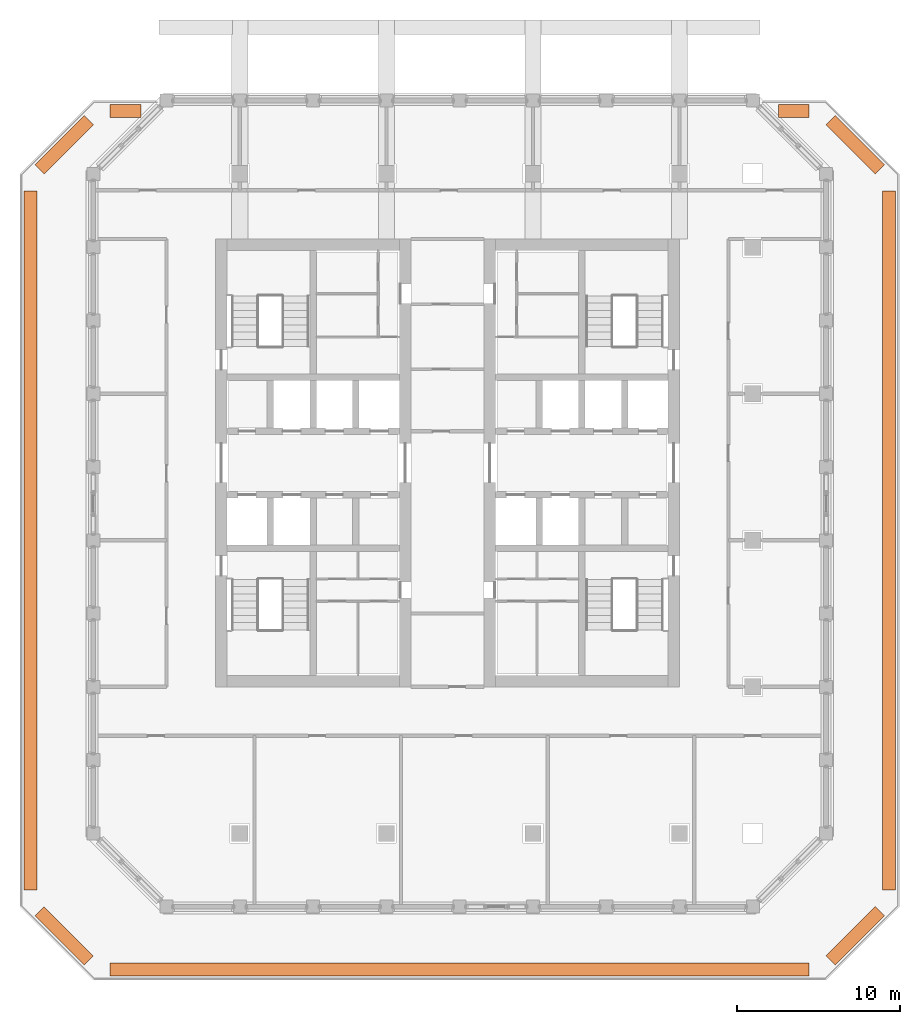
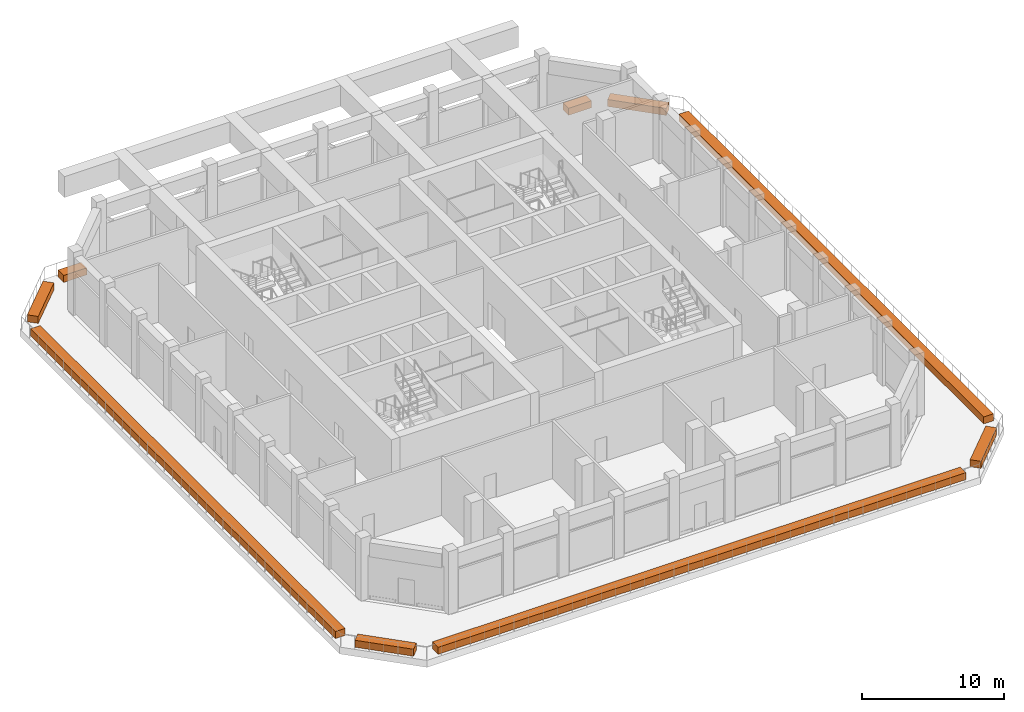
# One storey, part 19 of 19: 9 proxies.
"""IFC4 building model written with IfcOpenShell, lengths in metres."""

from ifc_helpers import new_model, si_unit, direction, frame, origin, origin_2d, place, context, subcontext, project, spatial, rectangle, extrude, material, type_object, element, save


model = new_model("IFC4")

# Units and contexts
model_context = context("Model", 3, precision=1e-05, world=origin(), true_north=direction((0.0, 1.0)))
body_context = subcontext(model_context, "Body", "Model", "MODEL_VIEW")
ifc_project = project(units=[si_unit("LENGTHUNIT", "METRE"), si_unit("AREAUNIT", "SQUARE_METRE"), si_unit("VOLUMEUNIT", "CUBIC_METRE"), si_unit("PLANEANGLEUNIT", "RADIAN"), si_unit("MASSUNIT", "GRAM", prefix="KILO")], contexts=[model_context])

# Site, building, storey
site_placement = place(None, origin())
site = spatial("IfcSite", under=ifc_project, at=site_placement, CompositionType="ELEMENT")
building_placement = place(site_placement, origin())
building = spatial("IfcBuilding", under=site, at=building_placement, Name="Corbel Stack Research Tower", CompositionType="ELEMENT")
storey_placement = place(building_placement, frame((0.0, 0.0, 226.199951171875)))
storey = spatial("IfcBuildingStorey", under=building, at=storey_placement, Name="L51", CompositionType="ELEMENT", Elevation=226.199951171875)

# Proxies
ifc_material = material(Name="Concrete C45/55", Category="concrete")
building_element_proxy_type = type_object("IfcBuildingElementProxyType", Name="Terrace planter bed", PredefinedType="USERDEFINED", material=ifc_material)
proxy_1_placement = place(storey_placement, frame((25.016357421875, 26.35009765625, 0.0), z_axis=(0.0, 0.0, 1.0), x_axis=(1.0, 0.0, 0.0)))
element("IfcBuildingElementProxy", 1, at=proxy_1_placement, inside=storey, type_object=building_element_proxy_type, Name="Terrace planter bed L51", ObjectType="PLANTER", PredefinedType="USERDEFINED", context=body_context, shape_type="SweptSolid", body=[
    extrude(rectangle(XDim=1.88427734375, YDim=0.800048828125, at=origin_2d()), origin(), (0.0, 0.0, 1.0), 0.60009765625),
])
proxy_2_placement = place(storey_placement, frame((28.790283203125, 24.290283203125, 0.0), z_axis=(0.0, 0.0, 1.0), x_axis=(0.707106781187, -0.707106781187, 0.0)))
element("IfcBuildingElementProxy", 2, at=proxy_2_placement, inside=storey, type_object=building_element_proxy_type, Name="Terrace planter bed L51", ObjectType="PLANTER", PredefinedType="USERDEFINED", context=body_context, shape_type="SweptSolid", body=[
    extrude(rectangle(XDim=4.281005859375, YDim=0.800048828125, at=origin_2d()), origin(), (0.0, 0.0, 1.0), 0.60009765625),
])
proxy_3_placement = place(storey_placement, frame((30.85009765625, 0.0, 0.0), z_axis=(0.0, 0.0, 1.0), x_axis=(0.0, -1.0, 0.0)))
element("IfcBuildingElementProxy", 3, at=proxy_3_placement, inside=storey, type_object=building_element_proxy_type, Name="Terrace planter bed L51", ObjectType="PLANTER", PredefinedType="USERDEFINED", context=body_context, shape_type="SweptSolid", body=[
    extrude(rectangle(XDim=42.917236328125, YDim=0.800048828125, at=origin_2d()), origin(), (0.0, 0.0, 1.0), 0.60009765625),
])
proxy_4_placement = place(storey_placement, frame((28.790283203125, -24.290283203125, 0.0), z_axis=(0.0, 0.0, 1.0), x_axis=(-0.707106781187, -0.707106781187, 0.0)))
element("IfcBuildingElementProxy", 4, at=proxy_4_placement, inside=storey, type_object=building_element_proxy_type, Name="Terrace planter bed L51", ObjectType="PLANTER", PredefinedType="USERDEFINED", context=body_context, shape_type="SweptSolid", body=[
    extrude(rectangle(XDim=4.281005859375, YDim=0.800048828125, at=origin_2d()), origin(), (0.0, 0.0, 1.0), 0.60009765625),
])
proxy_5_placement = place(storey_placement, frame((4.5, -26.35009765625, 0.0), z_axis=(0.0, 0.0, 1.0), x_axis=(-1.0, 0.0, 0.0)))
element("IfcBuildingElementProxy", 5, at=proxy_5_placement, inside=storey, type_object=building_element_proxy_type, Name="Terrace planter bed L51", ObjectType="PLANTER", PredefinedType="USERDEFINED", context=body_context, shape_type="SweptSolid", body=[
    extrude(rectangle(XDim=42.917236328125, YDim=0.800048828125, at=origin_2d()), origin(), (0.0, 0.0, 1.0), 0.60009765625),
])
proxy_6_placement = place(storey_placement, frame((-19.790283203125, -24.290283203125, 0.0), z_axis=(0.0, 0.0, 1.0), x_axis=(-0.707106781187, 0.707106781187, 0.0)))
element("IfcBuildingElementProxy", 6, at=proxy_6_placement, inside=storey, type_object=building_element_proxy_type, Name="Terrace planter bed L51", ObjectType="PLANTER", PredefinedType="USERDEFINED", context=body_context, shape_type="SweptSolid", body=[
    extrude(rectangle(XDim=4.281005859375, YDim=0.800048828125, at=origin_2d()), origin(), (0.0, 0.0, 1.0), 0.60009765625),
])
proxy_7_placement = place(storey_placement, frame((-21.85009765625, 0.0, 0.0), z_axis=(0.0, 0.0, 1.0), x_axis=(0.0, 1.0, 0.0)))
element("IfcBuildingElementProxy", 7, at=proxy_7_placement, inside=storey, type_object=building_element_proxy_type, Name="Terrace planter bed L51", ObjectType="PLANTER", PredefinedType="USERDEFINED", context=body_context, shape_type="SweptSolid", body=[
    extrude(rectangle(XDim=42.917236328125, YDim=0.800048828125, at=origin_2d()), origin(), (0.0, 0.0, 1.0), 0.60009765625),
])
proxy_8_placement = place(storey_placement, frame((-19.790283203125, 24.290283203125, 0.0), z_axis=(0.0, 0.0, 1.0), x_axis=(0.707106781187, 0.707106781187, 0.0)))
element("IfcBuildingElementProxy", 8, at=proxy_8_placement, inside=storey, type_object=building_element_proxy_type, Name="Terrace planter bed L51", ObjectType="PLANTER", PredefinedType="USERDEFINED", context=body_context, shape_type="SweptSolid", body=[
    extrude(rectangle(XDim=4.281005859375, YDim=0.800048828125, at=origin_2d()), origin(), (0.0, 0.0, 1.0), 0.60009765625),
])
proxy_9_placement = place(storey_placement, frame((-16.016357421875, 26.35009765625, 0.0), z_axis=(0.0, 0.0, 1.0), x_axis=(1.0, 0.0, 0.0)))
element("IfcBuildingElementProxy", 9, at=proxy_9_placement, inside=storey, type_object=building_element_proxy_type, Name="Terrace planter bed L51", ObjectType="PLANTER", PredefinedType="USERDEFINED", context=body_context, shape_type="SweptSolid", body=[
    extrude(rectangle(XDim=1.88427734375, YDim=0.800048828125, at=origin_2d()), origin(), (0.0, 0.0, 1.0), 0.60009765625),
])

save(model, "model.ifc")
